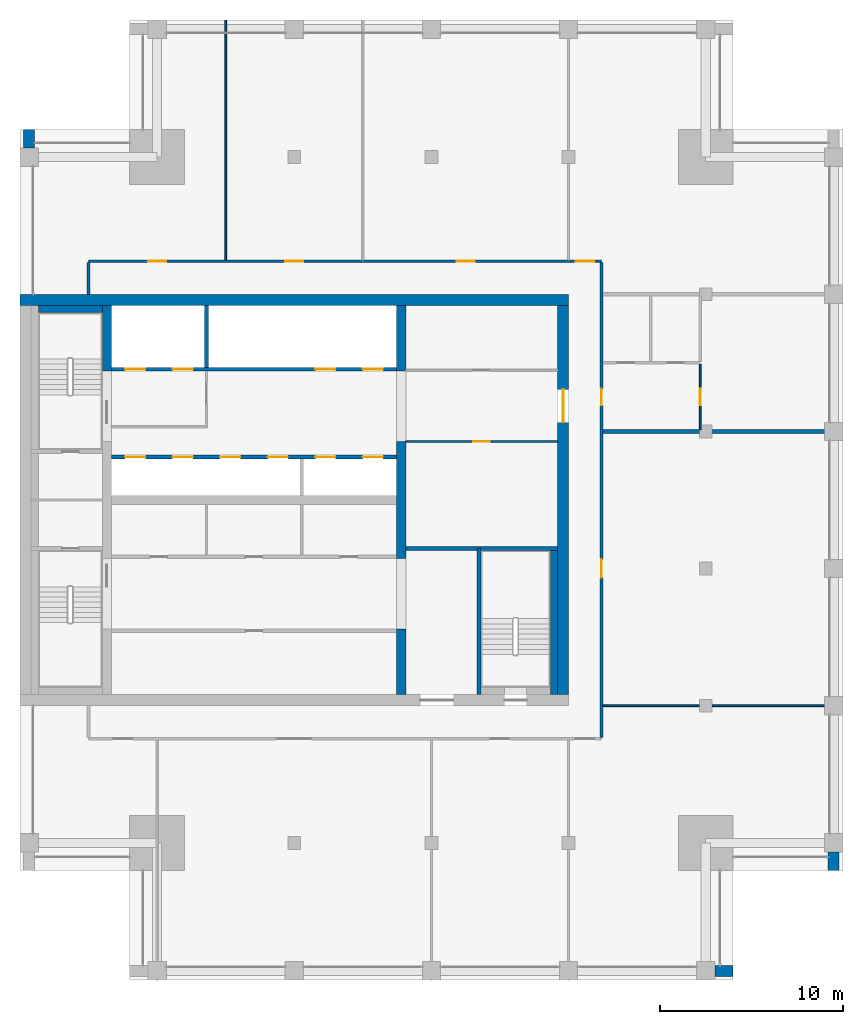
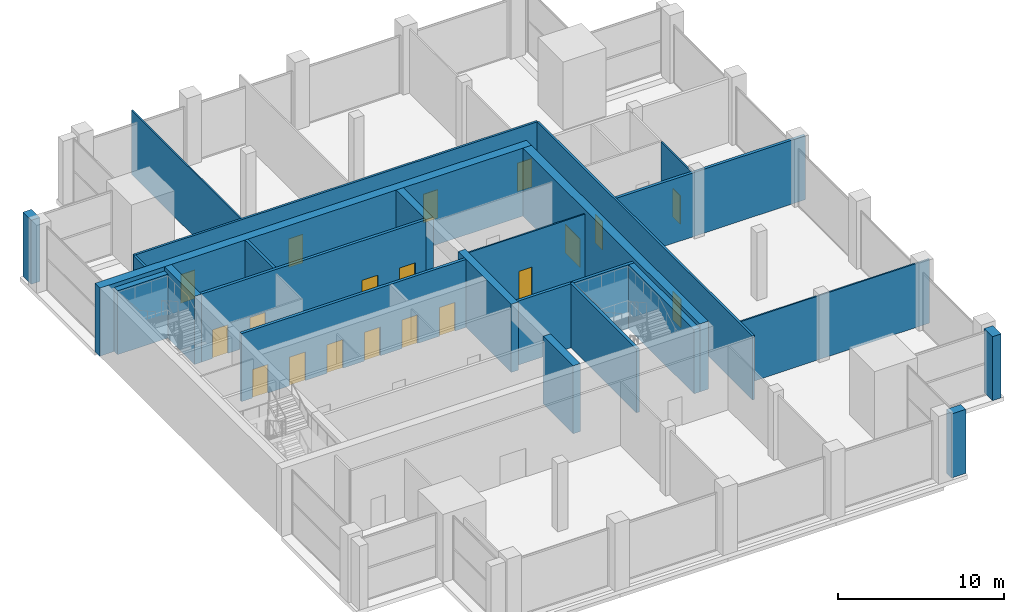
# One storey, part 9 of 15: 24 walls, 19 doors, 19 openings.
"""IFC4 building model written with IfcOpenShell, lengths in metres."""

import ifcopenshell
import ifcopenshell.guid

model = None  # the IFC model being written
_history = None  # IfcOwnerHistory: only IFC2X3 demands one
_inside = {}  # id of a spatial element -> (the spatial element, [elements in it])
_under = {}  # id of a project, library or spatial element -> (it, [spatial elements below it])
_declared = {}  # id of a project -> (the project, [libraries it declares])
_typed = {}  # id of a type object -> (the type object, [elements of that type])
_made_of = {}  # id of a material, layer set ... -> (it, [elements and type objects made of it])


def new_model(schema):
    """Start an empty IFC model of exactly this schema.

    Asked for "IFC4X3", IfcOpenShell would pick the latest addendum, in which some entities
    have other attributes; the version numbers below select the first issue.
    IFC2X3 requires an IfcOwnerHistory on every rooted entity: one is made here for all.
    """
    global model, _history
    if schema == "IFC4X3":
        model = ifcopenshell.file(schema_version=(4, 3, 0, 0))
    else:
        model = ifcopenshell.file(schema=schema)
    _inside.clear()
    _under.clear()
    _declared.clear()
    _typed.clear()
    _made_of.clear()
    _history = None
    if model.schema == "IFC2X3":
        org = make("IfcOrganization", Name="unknown")
        user = make(
            "IfcPersonAndOrganization",
            ThePerson=make("IfcPerson", FamilyName="unknown"),
            TheOrganization=org,
        )
        app = make(
            "IfcApplication",
            ApplicationDeveloper=org,
            Version="unknown",
            ApplicationFullName="unknown",
            ApplicationIdentifier="unknown",
        )
        _history = make(
            "IfcOwnerHistory",
            OwningUser=user,
            OwningApplication=app,
            ChangeAction="ADDED",
            CreationDate=0,
        )
    return model


def make(cls, **values):
    """One entity of the class cls with the attributes given. An attribute that is None is left unset."""
    return model.create_entity(
        cls, **{name: value for name, value in values.items() if value is not None}
    )


def rooted(cls, **values):
    """An entity with a GlobalId (a new one), such as an element, a storey or a relation."""
    return make(cls, GlobalId=ifcopenshell.guid.new(), OwnerHistory=_history, **values)


def si_unit(unit_type, name, prefix=None):
    """IfcSIUnit, for example si_unit("LENGTHUNIT", "METRE", prefix="MILLI")."""
    return make("IfcSIUnit", UnitType=unit_type, Prefix=prefix, Name=name)


def assignment(units):
    """IfcUnitAssignment: the units of a project."""
    return None if units is None else make("IfcUnitAssignment", Units=units)


def point(xyz):
    """IfcCartesianPoint."""
    return None if xyz is None else make("IfcCartesianPoint", Coordinates=xyz)


def direction(xyz):
    """IfcDirection."""
    return None if xyz is None else make("IfcDirection", DirectionRatios=xyz)


def frame(location, z_axis=None, x_axis=None):
    """IfcAxis2Placement3D, a coordinate frame: its origin and axes. An axis left out is left unset."""
    return make(
        "IfcAxis2Placement3D",
        Location=point(location),
        Axis=direction(z_axis),
        RefDirection=direction(x_axis),
    )


def frame_2d(location, x_axis=None):
    """IfcAxis2Placement2D, a coordinate frame in the plane: its origin and x axis."""
    return make(
        "IfcAxis2Placement2D", Location=point(location), RefDirection=direction(x_axis)
    )


def origin():
    """The frame at (0, 0, 0) with its axes left unset."""
    return frame((0.0, 0.0, 0.0))


def place(relative_to, where):
    """IfcLocalPlacement: puts the frame where relative to a parent placement (None: the world)."""
    return make(
        "IfcLocalPlacement", PlacementRelTo=relative_to, RelativePlacement=where
    )


def context(
    kind, dimensions, precision=None, world=None, true_north=None, identifier=None
):
    """IfcGeometricRepresentationContext, for example the 3D "Model" context."""
    return make(
        "IfcGeometricRepresentationContext",
        ContextIdentifier=identifier,
        ContextType=kind,
        CoordinateSpaceDimension=dimensions,
        Precision=precision,
        WorldCoordinateSystem=world,
        TrueNorth=true_north,
    )


def subcontext(parent, identifier, kind, view, scale=None):
    """IfcGeometricRepresentationSubContext, for example "Body" below "Model"."""
    return make(
        "IfcGeometricRepresentationSubContext",
        ContextIdentifier=identifier,
        ContextType=kind,
        ParentContext=parent,
        TargetScale=scale,
        TargetView=view,
    )


def project(units=None, contexts=None):
    """IfcProject with its units and contexts."""
    return rooted(
        "IfcProject",
        Name="project",
        RepresentationContexts=contexts,
        UnitsInContext=assignment(units),
    )


def spatial(cls, under=None, at=None, **own):
    """A site, building, storey or space (cls), placed at a placement, below another one or the project."""
    s = rooted(cls, ObjectPlacement=at, **own)
    if under is not None:
        _under.setdefault(under.id(), (under, []))[1].append(s)
    return s


def profile(cls, at=None, kind="AREA", **sizes):
    """A parametric profile (cls). Its sizes go by their IFC names, for example OverallWidth=200.0."""
    return make(cls, ProfileType=kind, Position=at, **sizes)


def rectangle(**sizes):
    """IfcRectangleProfileDef."""
    return profile("IfcRectangleProfileDef", **sizes)


def extrude(swept, where, along, depth):
    """IfcExtrudedAreaSolid: the profile swept, set in the frame where, extruded along a direction by depth."""
    return make(
        "IfcExtrudedAreaSolid",
        SweptArea=swept,
        Position=where,
        ExtrudedDirection=direction(along),
        Depth=depth,
    )


def shape(context_of_items, identifier, shape_type, items):
    """IfcShapeRepresentation: the items that make up one representation, for example the "Body"."""
    return make(
        "IfcShapeRepresentation",
        ContextOfItems=context_of_items,
        RepresentationIdentifier=identifier,
        RepresentationType=shape_type,
        Items=items,
    )


def material(Name=None, Category=None):
    """IfcMaterial."""
    return make("IfcMaterial", Name=Name, Category=Category)


def layer(
    of_material, thickness, ventilated=None, Name=None, Category=None, Priority=None
):
    """IfcMaterialLayer: one layer of a wall or slab, of a material (None: an air gap)."""
    return make(
        "IfcMaterialLayer",
        Material=of_material,
        LayerThickness=thickness,
        IsVentilated=ventilated,
        Name=Name,
        Category=Category,
        Priority=Priority,
    )


def layer_set(layers, Name=None):
    """IfcMaterialLayerSet."""
    return make("IfcMaterialLayerSet", MaterialLayers=layers, LayerSetName=Name)


def made_of(thing, what):
    """Note that an element or type object is made of a material, layer set ...; save() writes the relation."""
    if what is not None:
        _made_of.setdefault(what.id(), (what, []))[1].append(thing)
    return thing


def type_object(cls, material=None, **own):
    """A type object (cls), such as IfcWallType, which elements share."""
    return made_of(rooted(cls, **own), material)


def element(
    cls,
    number,
    at=None,
    inside=None,
    cuts=None,
    type_object=None,
    material=None,
    context=None,
    identifier="Body",
    shape_type=None,
    held_by="IfcProductDefinitionShape",
    body=None,
    shapes=None,
    **own,
):
    """One element of the class cls, such as IfcWall. Its Tag is "e" and its number.

    at: its placement. inside: the storey or other place that contains it. cuts: it is an
    opening in that element (IfcRelVoidsElement). A single representation is given by context,
    identifier, shape_type and body (its items); several are given by shapes. held_by: the class
    of the entity that holds the representations. save() writes the other relations.
    """
    e = rooted(cls, Tag="e%d" % number, ObjectPlacement=at, **own)
    if body is not None:
        shapes = [shape(context, identifier, shape_type, body)]
    if shapes is not None:
        e.Representation = make(held_by, Representations=shapes)
    if inside is not None:
        _inside.setdefault(inside.id(), (inside, []))[1].append(e)
    if cuts is not None:
        rooted(
            "IfcRelVoidsElement", RelatingBuildingElement=cuts, RelatedOpeningElement=e
        )
    if type_object is not None:
        _typed.setdefault(type_object.id(), (type_object, []))[1].append(e)
    return made_of(e, material)


def fill(opening, filler):
    """IfcRelFillsElement: the door or window that sits in an opening."""
    return rooted(
        "IfcRelFillsElement",
        RelatingOpeningElement=opening,
        RelatedBuildingElement=filler,
    )


def aggregate(whole, parts):
    """IfcRelAggregates: a whole, such as a stair, and the parts it consists of."""
    return rooted("IfcRelAggregates", RelatingObject=whole, RelatedObjects=parts)


def save(model, path):
    """Write the relations noted so far, then the file.

    IfcRelAggregates (storeys below a building ...), IfcRelContainedInSpatialStructure (elements
    in a storey), IfcRelDefinesByType, IfcRelAssociatesMaterial and IfcRelDeclares: one each for
    every whole, place, type object, material and project.
    """
    for whole, parts in _under.values():
        aggregate(whole, parts)
    for where, things in _inside.values():
        rooted(
            "IfcRelContainedInSpatialStructure",
            RelatedElements=things,
            RelatingStructure=where,
        )
    for kind, things in _typed.values():
        rooted("IfcRelDefinesByType", RelatedObjects=things, RelatingType=kind)
    for what, things in _made_of.values():
        rooted("IfcRelAssociatesMaterial", RelatedObjects=things, RelatingMaterial=what)
    for by, libraries in _declared.values():
        rooted("IfcRelDeclares", RelatingContext=by, RelatedDefinitions=libraries)
    model.write(path)


model = new_model("IFC4")

# Units and contexts
model_context = context("Model", 3, precision=1e-05, world=origin(), true_north=direction((0.0, 1.0)))
body_context = subcontext(model_context, "Body", "Model", "MODEL_VIEW")
ifc_project = project(units=[si_unit("LENGTHUNIT", "METRE"), si_unit("AREAUNIT", "SQUARE_METRE"), si_unit("VOLUMEUNIT", "CUBIC_METRE"), si_unit("PLANEANGLEUNIT", "RADIAN"), si_unit("MASSUNIT", "GRAM", prefix="KILO")], contexts=[model_context])

# Site, building, storey
site_placement = place(None, origin())
site = spatial("IfcSite", under=ifc_project, at=site_placement, CompositionType="ELEMENT")
building_placement = place(site_placement, origin())
building = spatial("IfcBuilding", under=site, at=building_placement, Name="Tamorin Gate", CompositionType="ELEMENT")
storey_placement = place(building_placement, frame((0.0, 0.0, 287.199951171875)))
storey = spatial("IfcBuildingStorey", under=building, at=storey_placement, Name="L72", CompositionType="ELEMENT", Elevation=287.199951171875)

# Walls
ifc_material_1 = material(Name="Precast concrete C40/50", Category="concrete")
ifc_layer_1 = layer(ifc_material_1, 0.60009765625)
ifc_layer_set_1 = layer_set([ifc_layer_1], Name="Precast concrete C40/50")
wall_type_1 = type_object("IfcWallType", Name="Board-marked concrete facade panel 600", PredefinedType="SOLIDWALL", material=ifc_layer_set_1)
for number, where, z_axis, x_axis, name in (
    (1, (68.0, 45.5, 0.0), (0.0, 0.0, 1.0), (1.0, 0.0, 0.0), "Facade panel"),
    (2, (74.5, 51.0, 0.0), (0.0, 0.0, 1.0), (0.0, 1.0, 0.0), "Facade panel"),
    (3, (30.5, 91.5, 0.0), (0.0, 0.0, 1.0), (0.0, -1.0, 0.0), "Facade panel"),
):
    element("IfcWall", number, at=place(storey_placement, frame(where, z_axis=z_axis, x_axis=x_axis)), inside=storey, type_object=wall_type_1, Name=name, PredefinedType="SOLIDWALL", context=body_context, shape_type="SweptSolid", body=[
        extrude(rectangle(XDim=1.0, YDim=0.60009765625, at=frame_2d((0.5, 0.0))), origin(), (0.0, 0.0, 1.0), 4.699951171875),
    ])

# Wall, openings, doors
ifc_material_2 = material(Name="Gypsum board partition")
ifc_layer_2 = layer(ifc_material_2, 0.14990234375)
ifc_layer_set_2 = layer_set([ifc_layer_2], Name="Corridor wall 150")
wall_type_2 = type_object("IfcWallType", Name="Corridor wall 150", PredefinedType="PARTITIONING", material=ifc_layer_set_2)
wall_1_placement = place(storey_placement, frame((33.75, 84.300048828125, 0.0), z_axis=(0.0, 0.0, 1.0), x_axis=(1.0, 0.0, 0.0)))
wall_1 = element("IfcWall", 4, at=wall_1_placement, inside=storey, type_object=wall_type_2, Name="Corridor wall 150", PredefinedType="PARTITIONING", context=body_context, shape_type="SweptSolid", body=[
    extrude(rectangle(XDim=28.050048828125, YDim=0.14990234375, at=frame_2d((14.02490234375, 0.0))), origin(), (0.0, 0.0, 1.0), 4.699951171875),
])
opening_1_placement = place(wall_1_placement, frame((3.25, 0.0, 0.0)))
opening_1 = element("IfcOpeningElement", 5, at=opening_1_placement, cuts=wall_1, Name="Opening DCL1005", PredefinedType="OPENING", context=body_context, shape_type="SweptSolid", body=[
    extrude(rectangle(XDim=1.0, YDim=2.10009765625, at=frame_2d((0.5, 1.050048828125))), frame((0.0, 0.0849609375, 0.0), z_axis=(0.0, -1.0, 0.0), x_axis=(1.0, 0.0, 0.0)), (0.0, 0.0, 1.0), 0.169921875),
])
opening_2_placement = place(wall_1_placement, frame((10.75, 0.0, 0.0)))
opening_2 = element("IfcOpeningElement", 6, at=opening_2_placement, cuts=wall_1, Name="Opening DCL1006", PredefinedType="OPENING", context=body_context, shape_type="SweptSolid", body=[
    extrude(rectangle(XDim=1.0, YDim=2.10009765625, at=frame_2d((0.5, 1.050048828125))), frame((0.0, 0.0849609375, 0.0), z_axis=(0.0, -1.0, 0.0), x_axis=(1.0, 0.0, 0.0)), (0.0, 0.0, 1.0), 0.169921875),
])
opening_3_placement = place(wall_1_placement, frame((20.125, 0.0, 0.0)))
opening_3 = element("IfcOpeningElement", 7, at=opening_3_placement, cuts=wall_1, Name="Opening DCL1007", PredefinedType="OPENING", context=body_context, shape_type="SweptSolid", body=[
    extrude(rectangle(XDim=1.0, YDim=2.10009765625, at=frame_2d((0.5, 1.050048828125))), frame((0.0, 0.0849609375, 0.0), z_axis=(0.0, -1.0, 0.0), x_axis=(1.0, 0.0, 0.0)), (0.0, 0.0, 1.0), 0.169921875),
])
opening_4_placement = place(wall_1_placement, frame((26.64990234375, 0.0, 0.0)))
opening_4 = element("IfcOpeningElement", 8, at=opening_4_placement, cuts=wall_1, Name="Opening DCL1008", PredefinedType="OPENING", context=body_context, shape_type="SweptSolid", body=[
    extrude(rectangle(XDim=1.0, YDim=2.10009765625, at=frame_2d((0.5, 1.050048828125))), frame((0.0, 0.0849609375, 0.0), z_axis=(0.0, -1.0, 0.0), x_axis=(1.0, 0.0, 0.0)), (0.0, 0.0, 1.0), 0.169921875),
])
ifc_material_3 = material(Name="Timber door leaf", Category="wood")
door_type_1 = type_object("IfcDoorType", Name="Door 1000 x 2100 FD30S", OperationType="NOTDEFINED", PredefinedType="DOOR", material=ifc_material_3)
door_1_placement = place(opening_1_placement, origin())
door_1 = element("IfcDoor", 9, at=door_1_placement, inside=storey, type_object=door_type_1, Name="Door DCL1005", OperationType="SINGLE_SWING_LEFT", OverallHeight=2.10009765625, OverallWidth=1.0, PredefinedType="DOOR", context=body_context, shape_type="SweptSolid", body=[
    extrude(rectangle(XDim=1.0, YDim=2.10009765625, at=frame_2d((0.5, 1.050048828125))), frame((0.0, 0.02490234375, 0.0), z_axis=(0.0, -1.0, 0.0), x_axis=(1.0, 0.0, 0.0)), (0.0, 0.0, 1.0), 0.050048828125),
])
fill(opening_1, door_1)
door_2_placement = place(opening_2_placement, origin())
door_2 = element("IfcDoor", 10, at=door_2_placement, inside=storey, type_object=door_type_1, Name="Door DCL1006", OperationType="SINGLE_SWING_LEFT", OverallHeight=2.10009765625, OverallWidth=1.0, PredefinedType="DOOR", context=body_context, shape_type="SweptSolid", body=[
    extrude(rectangle(XDim=1.0, YDim=2.10009765625, at=frame_2d((0.5, 1.050048828125))), frame((0.0, 0.02490234375, 0.0), z_axis=(0.0, -1.0, 0.0), x_axis=(1.0, 0.0, 0.0)), (0.0, 0.0, 1.0), 0.050048828125),
])
fill(opening_2, door_2)
door_3_placement = place(opening_3_placement, origin())
door_3 = element("IfcDoor", 11, at=door_3_placement, inside=storey, type_object=door_type_1, Name="Door DCL1007", OperationType="SINGLE_SWING_LEFT", OverallHeight=2.10009765625, OverallWidth=1.0, PredefinedType="DOOR", context=body_context, shape_type="SweptSolid", body=[
    extrude(rectangle(XDim=1.0, YDim=2.10009765625, at=frame_2d((0.5, 1.050048828125))), frame((0.0, 0.02490234375, 0.0), z_axis=(0.0, -1.0, 0.0), x_axis=(1.0, 0.0, 0.0)), (0.0, 0.0, 1.0), 0.050048828125),
])
fill(opening_3, door_3)
door_4_placement = place(opening_4_placement, origin())
door_4 = element("IfcDoor", 12, at=door_4_placement, inside=storey, type_object=door_type_1, Name="Door DCL1008", OperationType="SINGLE_SWING_LEFT", OverallHeight=2.10009765625, OverallWidth=1.0, PredefinedType="DOOR", context=body_context, shape_type="SweptSolid", body=[
    extrude(rectangle(XDim=1.0, YDim=2.10009765625, at=frame_2d((0.5, 1.050048828125))), frame((0.0, 0.02490234375, 0.0), z_axis=(0.0, -1.0, 0.0), x_axis=(1.0, 0.0, 0.0)), (0.0, 0.0, 1.0), 0.050048828125),
])
fill(opening_4, door_4)

# Wall
wall_2_placement = place(storey_placement, frame((33.75, 82.5, 0.0), z_axis=(0.0, 0.0, 1.0), x_axis=(0.0, 1.0, 0.0)))
element("IfcWall", 13, at=wall_2_placement, inside=storey, type_object=wall_type_2, Name="Corridor wall 150", PredefinedType="PARTITIONING", context=body_context, shape_type="SweptSolid", body=[
    extrude(rectangle(XDim=1.72509765625, YDim=0.14990234375, at=frame_2d((0.862548828125, 0.0))), origin(), (0.0, 0.0, 1.0), 4.699951171875),
])

# Wall, openings, doors
wall_3_placement = place(storey_placement, frame((61.800048828125, 58.27490234375, 0.0), z_axis=(0.0, 0.0, 1.0), x_axis=(0.0, 1.0, 0.0)))
wall_3 = element("IfcWall", 14, at=wall_3_placement, inside=storey, type_object=wall_type_2, Name="Corridor wall 150", PredefinedType="PARTITIONING", context=body_context, shape_type="SweptSolid", body=[
    extrude(rectangle(XDim=25.9501953125, YDim=0.14990234375, at=frame_2d((12.97509765625, 0.0))), origin(), (0.0, 0.0, 1.0), 4.699951171875),
])
opening_5_placement = place(wall_3_placement, frame((8.72509765625, 0.0, 0.0)))
opening_5 = element("IfcOpeningElement", 15, at=opening_5_placement, cuts=wall_3, Name="Opening DCL1009", PredefinedType="OPENING", context=body_context, shape_type="SweptSolid", body=[
    extrude(rectangle(XDim=1.0, YDim=2.10009765625, at=frame_2d((0.5, 1.050048828125))), frame((0.0, 0.0849609375, 0.0), z_axis=(0.0, -1.0, 0.0), x_axis=(1.0, 0.0, 0.0)), (0.0, 0.0, 1.0), 0.169921875),
])
opening_6_placement = place(wall_3_placement, frame((18.14990234375, 0.0, 0.0)))
opening_6 = element("IfcOpeningElement", 16, at=opening_6_placement, cuts=wall_3, Name="Opening DCL1010", PredefinedType="OPENING", context=body_context, shape_type="SweptSolid", body=[
    extrude(rectangle(XDim=0.89990234375, YDim=2.10009765625, at=frame_2d((0.449951171875, 1.050048828125))), frame((0.0, 0.0849609375, 0.0), z_axis=(0.0, -1.0, 0.0), x_axis=(1.0, 0.0, 0.0)), (0.0, 0.0, 1.0), 0.169921875),
])
door_5_placement = place(opening_5_placement, origin())
door_5 = element("IfcDoor", 17, at=door_5_placement, inside=storey, type_object=door_type_1, Name="Door DCL1009", OperationType="SINGLE_SWING_RIGHT", OverallHeight=2.10009765625, OverallWidth=1.0, PredefinedType="DOOR", context=body_context, shape_type="SweptSolid", body=[
    extrude(rectangle(XDim=1.0, YDim=2.10009765625, at=frame_2d((0.5, 1.050048828125))), frame((0.0, 0.02490234375, 0.0), z_axis=(0.0, -1.0, 0.0), x_axis=(1.0, 0.0, 0.0)), (0.0, 0.0, 1.0), 0.050048828125),
])
fill(opening_5, door_5)
door_type_2 = type_object("IfcDoorType", Name="Door 900 x 2100 FD30S", OperationType="NOTDEFINED", PredefinedType="DOOR", material=ifc_material_3)
door_6_placement = place(opening_6_placement, origin())
door_6 = element("IfcDoor", 18, at=door_6_placement, inside=storey, type_object=door_type_2, Name="Door DCL1010", OperationType="SINGLE_SWING_RIGHT", OverallHeight=2.10009765625, OverallWidth=0.89990234375, PredefinedType="DOOR", context=body_context, shape_type="SweptSolid", body=[
    extrude(rectangle(XDim=0.89990234375, YDim=2.10009765625, at=frame_2d((0.449951171875, 1.050048828125))), frame((0.0, 0.02490234375, 0.0), z_axis=(0.0, -1.0, 0.0), x_axis=(1.0, 0.0, 0.0)), (0.0, 0.0, 1.0), 0.050048828125),
])
fill(opening_6, door_6)

# Wall
ifc_layer_3 = layer(ifc_material_2, 0.199951171875)
ifc_layer_set_3 = layer_set([ifc_layer_3], Name="Demising wall 200")
wall_type_3 = type_object("IfcWallType", Name="Demising wall 200", PredefinedType="PARTITIONING", material=ifc_layer_set_3)
wall_4_placement = place(storey_placement, frame((61.875, 75.0, 0.0), z_axis=(0.0, 0.0, 1.0), x_axis=(1.0, 0.0, 0.0)))
element("IfcWall", 19, at=wall_4_placement, inside=storey, type_object=wall_type_3, Name="Demising wall 200", PredefinedType="PARTITIONING", context=body_context, shape_type="SweptSolid", body=[
    extrude(rectangle(XDim=13.125, YDim=0.199951171875, at=frame_2d((6.5625, 0.0))), origin(), (0.0, 0.0, 1.0), 4.699951171875),
])

# Wall, openings, doors
ifc_material_4 = material(Name="Concrete C32/40", Category="concrete")
ifc_layer_4 = layer(ifc_material_4, 0.199951171875)
ifc_layer_set_4 = layer_set([ifc_layer_4], Name="Lift lobby face wall 200 EI 120")
wall_type_4 = type_object("IfcWallType", Name="Lift lobby face wall 200 EI 120", PredefinedType="SOLIDWALL", material=ifc_layer_set_4)
wall_5_placement = place(storey_placement, frame((35.0, 73.60009765625, 0.0), z_axis=(0.0, 0.0, 1.0), x_axis=(1.0, 0.0, 0.0)))
wall_5 = element("IfcWall", 20, at=wall_5_placement, inside=storey, type_object=wall_type_4, Name="Lift lobby face wall", PredefinedType="SOLIDWALL", context=body_context, shape_type="SweptSolid", body=[
    extrude(rectangle(XDim=15.60009765625, YDim=0.199951171875, at=frame_2d((7.800048828125, 0.0))), origin(), (0.0, 0.0, 1.0), 5.0),
])
opening_7_placement = place(wall_5_placement, frame((0.75, 0.0, 0.0)))
opening_7 = element("IfcOpeningElement", 21, at=opening_7_placement, cuts=wall_5, Name="Opening LD11", PredefinedType="OPENING", context=body_context, shape_type="SweptSolid", body=[
    extrude(rectangle(XDim=1.10009765625, YDim=2.10009765625, at=frame_2d((0.550048828125, 1.050048828125))), frame((0.0, 0.10986328125, 0.0), z_axis=(0.0, -1.0, 0.0), x_axis=(1.0, 0.0, 0.0)), (0.0, 0.0, 1.0), 0.219970703125),
])
opening_8_placement = place(wall_5_placement, frame((3.35009765625, 0.0, 0.0)))
opening_8 = element("IfcOpeningElement", 22, at=opening_8_placement, cuts=wall_5, Name="Opening LD12", PredefinedType="OPENING", context=body_context, shape_type="SweptSolid", body=[
    extrude(rectangle(XDim=1.10009765625, YDim=2.10009765625, at=frame_2d((0.550048828125, 1.050048828125))), frame((0.0, 0.10986328125, 0.0), z_axis=(0.0, -1.0, 0.0), x_axis=(1.0, 0.0, 0.0)), (0.0, 0.0, 1.0), 0.219970703125),
])
opening_9_placement = place(wall_5_placement, frame((5.949951171875, 0.0, 0.0)))
opening_9 = element("IfcOpeningElement", 23, at=opening_9_placement, cuts=wall_5, Name="Opening LD13", PredefinedType="OPENING", context=body_context, shape_type="SweptSolid", body=[
    extrude(rectangle(XDim=1.10009765625, YDim=2.10009765625, at=frame_2d((0.550048828125, 1.050048828125))), frame((0.0, 0.10986328125, 0.0), z_axis=(0.0, -1.0, 0.0), x_axis=(1.0, 0.0, 0.0)), (0.0, 0.0, 1.0), 0.219970703125),
])
opening_10_placement = place(wall_5_placement, frame((8.550048828125, 0.0, 0.0)))
opening_10 = element("IfcOpeningElement", 24, at=opening_10_placement, cuts=wall_5, Name="Opening LD14", PredefinedType="OPENING", context=body_context, shape_type="SweptSolid", body=[
    extrude(rectangle(XDim=1.10009765625, YDim=2.10009765625, at=frame_2d((0.550048828125, 1.050048828125))), frame((0.0, 0.10986328125, 0.0), z_axis=(0.0, -1.0, 0.0), x_axis=(1.0, 0.0, 0.0)), (0.0, 0.0, 1.0), 0.219970703125),
])
opening_11_placement = place(wall_5_placement, frame((11.14990234375, 0.0, 0.0)))
opening_11 = element("IfcOpeningElement", 25, at=opening_11_placement, cuts=wall_5, Name="Opening LD15", PredefinedType="OPENING", context=body_context, shape_type="SweptSolid", body=[
    extrude(rectangle(XDim=1.10009765625, YDim=2.10009765625, at=frame_2d((0.550048828125, 1.050048828125))), frame((0.0, 0.10986328125, 0.0), z_axis=(0.0, -1.0, 0.0), x_axis=(1.0, 0.0, 0.0)), (0.0, 0.0, 1.0), 0.219970703125),
])
opening_12_placement = place(wall_5_placement, frame((13.75, 0.0, 0.0)))
opening_12 = element("IfcOpeningElement", 26, at=opening_12_placement, cuts=wall_5, Name="Opening LD16", PredefinedType="OPENING", context=body_context, shape_type="SweptSolid", body=[
    extrude(rectangle(XDim=1.10009765625, YDim=2.10009765625, at=frame_2d((0.550048828125, 1.050048828125))), frame((0.0, 0.10986328125, 0.0), z_axis=(0.0, -1.0, 0.0), x_axis=(1.0, 0.0, 0.0)), (0.0, 0.0, 1.0), 0.219970703125),
])
ifc_material_5 = material(Name="Stainless steel sliding door", Category="steel")
door_type_3 = type_object("IfcDoorType", Name="Lift landing door 1100 x 2100 E 90", OperationType="DOUBLE_DOOR_SLIDING", PredefinedType="DOOR", material=ifc_material_5)
door_7_placement = place(opening_7_placement, origin())
door_7 = element("IfcDoor", 27, at=door_7_placement, inside=storey, type_object=door_type_3, Name="HR1 landing door", OperationType="DOUBLE_DOOR_SLIDING", OverallHeight=2.10009765625, OverallWidth=1.10009765625, PredefinedType="DOOR", context=body_context, shape_type="SweptSolid", body=[
    extrude(rectangle(XDim=1.10009765625, YDim=2.10009765625, at=frame_2d((0.550048828125, 1.050048828125))), frame((0.0, 0.02490234375, 0.0), z_axis=(0.0, -1.0, 0.0), x_axis=(1.0, 0.0, 0.0)), (0.0, 0.0, 1.0), 0.050048828125),
])
fill(opening_7, door_7)
door_8_placement = place(opening_8_placement, origin())
door_8 = element("IfcDoor", 28, at=door_8_placement, inside=storey, type_object=door_type_3, Name="HR2 landing door", OperationType="DOUBLE_DOOR_SLIDING", OverallHeight=2.10009765625, OverallWidth=1.10009765625, PredefinedType="DOOR", context=body_context, shape_type="SweptSolid", body=[
    extrude(rectangle(XDim=1.10009765625, YDim=2.10009765625, at=frame_2d((0.550048828125, 1.050048828125))), frame((0.0, 0.02490234375, 0.0), z_axis=(0.0, -1.0, 0.0), x_axis=(1.0, 0.0, 0.0)), (0.0, 0.0, 1.0), 0.050048828125),
])
fill(opening_8, door_8)
door_9_placement = place(opening_9_placement, origin())
door_9 = element("IfcDoor", 29, at=door_9_placement, inside=storey, type_object=door_type_3, Name="HR3 landing door", OperationType="DOUBLE_DOOR_SLIDING", OverallHeight=2.10009765625, OverallWidth=1.10009765625, PredefinedType="DOOR", context=body_context, shape_type="SweptSolid", body=[
    extrude(rectangle(XDim=1.10009765625, YDim=2.10009765625, at=frame_2d((0.550048828125, 1.050048828125))), frame((0.0, 0.02490234375, 0.0), z_axis=(0.0, -1.0, 0.0), x_axis=(1.0, 0.0, 0.0)), (0.0, 0.0, 1.0), 0.050048828125),
])
fill(opening_9, door_9)
door_10_placement = place(opening_10_placement, origin())
door_10 = element("IfcDoor", 30, at=door_10_placement, inside=storey, type_object=door_type_3, Name="HR4 landing door", OperationType="DOUBLE_DOOR_SLIDING", OverallHeight=2.10009765625, OverallWidth=1.10009765625, PredefinedType="DOOR", context=body_context, shape_type="SweptSolid", body=[
    extrude(rectangle(XDim=1.10009765625, YDim=2.10009765625, at=frame_2d((0.550048828125, 1.050048828125))), frame((0.0, 0.02490234375, 0.0), z_axis=(0.0, -1.0, 0.0), x_axis=(1.0, 0.0, 0.0)), (0.0, 0.0, 1.0), 0.050048828125),
])
fill(opening_10, door_10)
door_11_placement = place(opening_11_placement, origin())
door_11 = element("IfcDoor", 31, at=door_11_placement, inside=storey, type_object=door_type_3, Name="HR5 landing door", OperationType="DOUBLE_DOOR_SLIDING", OverallHeight=2.10009765625, OverallWidth=1.10009765625, PredefinedType="DOOR", context=body_context, shape_type="SweptSolid", body=[
    extrude(rectangle(XDim=1.10009765625, YDim=2.10009765625, at=frame_2d((0.550048828125, 1.050048828125))), frame((0.0, 0.02490234375, 0.0), z_axis=(0.0, -1.0, 0.0), x_axis=(1.0, 0.0, 0.0)), (0.0, 0.0, 1.0), 0.050048828125),
])
fill(opening_11, door_11)
door_12_placement = place(opening_12_placement, origin())
door_12 = element("IfcDoor", 32, at=door_12_placement, inside=storey, type_object=door_type_3, Name="HR6 landing door", OperationType="DOUBLE_DOOR_SLIDING", OverallHeight=2.10009765625, OverallWidth=1.10009765625, PredefinedType="DOOR", context=body_context, shape_type="SweptSolid", body=[
    extrude(rectangle(XDim=1.10009765625, YDim=2.10009765625, at=frame_2d((0.550048828125, 1.050048828125))), frame((0.0, 0.02490234375, 0.0), z_axis=(0.0, -1.0, 0.0), x_axis=(1.0, 0.0, 0.0)), (0.0, 0.0, 1.0), 0.050048828125),
])
fill(opening_12, door_12)

wall_6_placement = place(storey_placement, frame((35.0, 78.39990234375, 0.0), z_axis=(0.0, 0.0, 1.0), x_axis=(1.0, 0.0, 0.0)))
wall_6 = element("IfcWall", 33, at=wall_6_placement, inside=storey, type_object=wall_type_4, Name="Lift lobby face wall", PredefinedType="SOLIDWALL", context=body_context, shape_type="SweptSolid", body=[
    extrude(rectangle(XDim=15.60009765625, YDim=0.199951171875, at=frame_2d((7.800048828125, 0.0))), origin(), (0.0, 0.0, 1.0), 5.0),
])
opening_13_placement = place(wall_6_placement, frame((0.75, 0.0, 0.0)))
opening_13 = element("IfcOpeningElement", 34, at=opening_13_placement, cuts=wall_6, Name="Opening LD17", PredefinedType="OPENING", context=body_context, shape_type="SweptSolid", body=[
    extrude(rectangle(XDim=1.10009765625, YDim=2.10009765625, at=frame_2d((0.550048828125, 1.050048828125))), frame((0.0, 0.10986328125, 0.0), z_axis=(0.0, -1.0, 0.0), x_axis=(1.0, 0.0, 0.0)), (0.0, 0.0, 1.0), 0.219970703125),
])
opening_14_placement = place(wall_6_placement, frame((3.35009765625, 0.0, 0.0)))
opening_14 = element("IfcOpeningElement", 35, at=opening_14_placement, cuts=wall_6, Name="Opening LD18", PredefinedType="OPENING", context=body_context, shape_type="SweptSolid", body=[
    extrude(rectangle(XDim=1.10009765625, YDim=2.10009765625, at=frame_2d((0.550048828125, 1.050048828125))), frame((0.0, 0.10986328125, 0.0), z_axis=(0.0, -1.0, 0.0), x_axis=(1.0, 0.0, 0.0)), (0.0, 0.0, 1.0), 0.219970703125),
])
opening_15_placement = place(wall_6_placement, frame((11.14990234375, 0.0, 0.0)))
opening_15 = element("IfcOpeningElement", 36, at=opening_15_placement, cuts=wall_6, Name="Opening LD21", PredefinedType="OPENING", context=body_context, shape_type="SweptSolid", body=[
    extrude(rectangle(XDim=1.10009765625, YDim=2.10009765625, at=frame_2d((0.550048828125, 1.050048828125))), frame((0.0, 0.10986328125, 0.0), z_axis=(0.0, -1.0, 0.0), x_axis=(1.0, 0.0, 0.0)), (0.0, 0.0, 1.0), 0.219970703125),
])
opening_16_placement = place(wall_6_placement, frame((13.75, 0.0, 0.0)))
opening_16 = element("IfcOpeningElement", 37, at=opening_16_placement, cuts=wall_6, Name="Opening LD22", PredefinedType="OPENING", context=body_context, shape_type="SweptSolid", body=[
    extrude(rectangle(XDim=1.10009765625, YDim=2.10009765625, at=frame_2d((0.550048828125, 1.050048828125))), frame((0.0, 0.10986328125, 0.0), z_axis=(0.0, -1.0, 0.0), x_axis=(1.0, 0.0, 0.0)), (0.0, 0.0, 1.0), 0.219970703125),
])
door_13_placement = place(opening_13_placement, origin())
door_13 = element("IfcDoor", 38, at=door_13_placement, inside=storey, type_object=door_type_3, Name="FF1 landing door", OperationType="DOUBLE_DOOR_SLIDING", OverallHeight=2.10009765625, OverallWidth=1.10009765625, PredefinedType="DOOR", context=body_context, shape_type="SweptSolid", body=[
    extrude(rectangle(XDim=1.10009765625, YDim=2.10009765625, at=frame_2d((0.550048828125, 1.050048828125))), frame((0.0, 0.02490234375, 0.0), z_axis=(0.0, -1.0, 0.0), x_axis=(1.0, 0.0, 0.0)), (0.0, 0.0, 1.0), 0.050048828125),
])
fill(opening_13, door_13)
door_14_placement = place(opening_14_placement, origin())
door_14 = element("IfcDoor", 39, at=door_14_placement, inside=storey, type_object=door_type_3, Name="FF2 landing door", OperationType="DOUBLE_DOOR_SLIDING", OverallHeight=2.10009765625, OverallWidth=1.10009765625, PredefinedType="DOOR", context=body_context, shape_type="SweptSolid", body=[
    extrude(rectangle(XDim=1.10009765625, YDim=2.10009765625, at=frame_2d((0.550048828125, 1.050048828125))), frame((0.0, 0.02490234375, 0.0), z_axis=(0.0, -1.0, 0.0), x_axis=(1.0, 0.0, 0.0)), (0.0, 0.0, 1.0), 0.050048828125),
])
fill(opening_14, door_14)
door_15_placement = place(opening_15_placement, origin())
door_15 = element("IfcDoor", 40, at=door_15_placement, inside=storey, type_object=door_type_3, Name="SV1 landing door", OperationType="DOUBLE_DOOR_SLIDING", OverallHeight=2.10009765625, OverallWidth=1.10009765625, PredefinedType="DOOR", context=body_context, shape_type="SweptSolid", body=[
    extrude(rectangle(XDim=1.10009765625, YDim=2.10009765625, at=frame_2d((0.550048828125, 1.050048828125))), frame((0.0, 0.02490234375, 0.0), z_axis=(0.0, -1.0, 0.0), x_axis=(1.0, 0.0, 0.0)), (0.0, 0.0, 1.0), 0.050048828125),
])
fill(opening_15, door_15)
door_16_placement = place(opening_16_placement, origin())
door_16 = element("IfcDoor", 41, at=door_16_placement, inside=storey, type_object=door_type_3, Name="SV2 landing door", OperationType="DOUBLE_DOOR_SLIDING", OverallHeight=2.10009765625, OverallWidth=1.10009765625, PredefinedType="DOOR", context=body_context, shape_type="SweptSolid", body=[
    extrude(rectangle(XDim=1.10009765625, YDim=2.10009765625, at=frame_2d((0.550048828125, 1.050048828125))), frame((0.0, 0.02490234375, 0.0), z_axis=(0.0, -1.0, 0.0), x_axis=(1.0, 0.0, 0.0)), (0.0, 0.0, 1.0), 0.050048828125),
])
fill(opening_16, door_16)

# Walls
ifc_layer_5 = layer(ifc_material_4, 0.199951171875)
ifc_layer_set_5 = layer_set([ifc_layer_5], Name="Lift shaft wall 200 EI 120")
wall_type_5 = type_object("IfcWallType", Name="Lift shaft wall 200 EI 120", PredefinedType="SOLIDWALL", material=ifc_layer_set_5)
wall_7_placement = place(storey_placement, frame((40.199951171875, 78.5, 0.0), z_axis=(0.0, 0.0, 1.0), x_axis=(0.0, 1.0, 0.0)))
element("IfcWall", 42, at=wall_7_placement, inside=storey, type_object=wall_type_5, Name="Lift shaft wall", PredefinedType="SOLIDWALL", context=body_context, shape_type="SweptSolid", body=[
    extrude(rectangle(XDim=3.39990234375, YDim=0.199951171875, at=frame_2d((1.699951171875, 0.0))), origin(), (0.0, 0.0, 1.0), 5.0),
])
ifc_material_6 = material(Name="Concrete C50/60", Category="concrete")
ifc_layer_6 = layer(ifc_material_6, 0.5)
ifc_layer_set_6 = layer_set([ifc_layer_6], Name="RC core internal wall 500 C50/60")
wall_type_6 = type_object("IfcWallType", Name="RC core internal wall 500 C50/60", PredefinedType="SHEAR", material=ifc_layer_set_6)
for number, where, z_axis, x_axis, name in (
    (43, (34.75, 78.300048828125, 0.0), (0.0, 0.0, 1.0), (0.0, 1.0, 0.0), "Core cross wall L72"),
    (44, (50.85009765625, 60.60009765625, 0.0), (0.0, 0.0, 1.0), (0.0, 1.0, 0.0), "Core cross wall L72"),
):
    element("IfcWall", number, at=place(storey_placement, frame(where, z_axis=z_axis, x_axis=x_axis)), inside=storey, type_object=wall_type_6, Name=name, PredefinedType="SHEAR", context=body_context, shape_type="SweptSolid", body=[
        extrude(rectangle(XDim=3.599853515625, YDim=0.5, at=frame_2d((1.7998046875, 0.0))), origin(), (0.0, 0.0, 1.0), 5.0),
    ])
wall_8_placement = place(storey_placement, frame((50.85009765625, 68.050048828125, 0.0), z_axis=(0.0, 0.0, 1.0), x_axis=(0.0, 1.0, 0.0)))
element("IfcWall", 45, at=wall_8_placement, inside=storey, type_object=wall_type_6, Name="Core cross wall L72", PredefinedType="SHEAR", context=body_context, shape_type="SweptSolid", body=[
    extrude(rectangle(XDim=6.39990234375, YDim=0.5, at=frame_2d((3.199951171875, 0.0))), origin(), (0.0, 0.0, 1.0), 5.0),
])
wall_9_placement = place(storey_placement, frame((50.85009765625, 78.300048828125, 0.0), z_axis=(0.0, 0.0, 1.0), x_axis=(0.0, 1.0, 0.0)))
element("IfcWall", 46, at=wall_9_placement, inside=storey, type_object=wall_type_6, Name="Core cross wall L72", PredefinedType="SHEAR", context=body_context, shape_type="SweptSolid", body=[
    extrude(rectangle(XDim=3.599853515625, YDim=0.5, at=frame_2d((1.7998046875, 0.0))), origin(), (0.0, 0.0, 1.0), 5.0),
])
ifc_layer_7 = layer(ifc_material_6, 0.60009765625)
ifc_layer_set_7 = layer_set([ifc_layer_7], Name="RC core wall 600 C50/60")
wall_type_7 = type_object("IfcWallType", Name="RC core wall 600 C50/60", PredefinedType="SHEAR", material=ifc_layer_set_7)
wall_10_placement = place(storey_placement, frame((30.0, 82.199951171875, 0.0), z_axis=(0.0, 0.0, 1.0), x_axis=(1.0, 0.0, 0.0)))
element("IfcWall", 47, at=wall_10_placement, inside=storey, type_object=wall_type_7, Name="Core wall L72", PredefinedType="SHEAR", context=body_context, shape_type="SweptSolid", body=[
    extrude(rectangle(XDim=30.0, YDim=0.60009765625, at=frame_2d((15.0, 0.0))), origin(), (0.0, 0.0, 1.0), 5.0),
])

# Wall, opening, door
wall_11_placement = place(storey_placement, frame((59.699951171875, 60.60009765625, 0.0), z_axis=(0.0, 0.0, 1.0), x_axis=(0.0, 1.0, 0.0)))
wall_11 = element("IfcWall", 48, at=wall_11_placement, inside=storey, type_object=wall_type_7, Name="Core wall L72", PredefinedType="SHEAR", context=body_context, shape_type="SweptSolid", body=[
    extrude(rectangle(XDim=21.2998046875, YDim=0.60009765625, at=frame_2d((10.64990234375, 0.0))), origin(), (0.0, 0.0, 1.0), 5.0),
])
opening_17_placement = place(wall_11_placement, frame((14.89990234375, 0.0, 0.0)))
opening_17 = element("IfcOpeningElement", 49, at=opening_17_placement, cuts=wall_11, Name="Opening DE1", PredefinedType="OPENING", context=body_context, shape_type="SweptSolid", body=[
    extrude(rectangle(XDim=1.800048828125, YDim=2.10009765625, at=frame_2d((0.89990234375, 1.050048828125))), frame((0.0, 0.31005859375, 0.0), z_axis=(0.0, -1.0, 0.0), x_axis=(1.0, 0.0, 0.0)), (0.0, 0.0, 1.0), 0.6201171875),
])
ifc_material_7 = material(Name="Steel fire door", Category="steel")
door_type_4 = type_object("IfcDoorType", Name="Lobby exit double door 1800 x 2100 EI 60", OperationType="DOUBLE_DOOR_SINGLE_SWING", PredefinedType="DOOR", material=ifc_material_7)
door_17_placement = place(opening_17_placement, origin())
door_17 = element("IfcDoor", 50, at=door_17_placement, inside=storey, type_object=door_type_4, Name="Lift lobby B exit door", OperationType="DOUBLE_DOOR_SINGLE_SWING", OverallHeight=2.10009765625, OverallWidth=1.800048828125, PredefinedType="DOOR", context=body_context, shape_type="SweptSolid", body=[
    extrude(rectangle(XDim=1.800048828125, YDim=2.10009765625, at=frame_2d((0.89990234375, 1.050048828125))), frame((0.0, 0.02490234375, 0.0), z_axis=(0.0, -1.0, 0.0), x_axis=(1.0, 0.0, 0.0)), (0.0, 0.0, 1.0), 0.050048828125),
])
fill(opening_17, door_17)

# Walls
ifc_layer_8 = layer(ifc_material_2, 0.10009765625)
ifc_layer_set_8 = layer_set([ifc_layer_8], Name="Room partition 100")
wall_type_8 = type_object("IfcWallType", Name="Room partition 100", PredefinedType="PARTITIONING", material=ifc_layer_set_8)
for number, where, z_axis, x_axis, name in (
    (51, (61.875, 60.0, 0.0), (0.0, 0.0, 1.0), (1.0, 0.0, 0.0), "Room partition 100"),
    (52, (41.25, 84.375, 0.0), (0.0, 0.0, 1.0), (0.0, 1.0, 0.0), "Room partition 100"),
):
    element("IfcWall", number, at=place(storey_placement, frame(where, z_axis=z_axis, x_axis=x_axis)), inside=storey, type_object=wall_type_8, Name=name, PredefinedType="PARTITIONING", context=body_context, shape_type="SweptSolid", body=[
        extrude(rectangle(XDim=13.125, YDim=0.10009765625, at=frame_2d((6.5625, 0.0))), origin(), (0.0, 0.0, 1.0), 4.699951171875),
    ])

# Wall, opening, door
wall_12_placement = place(storey_placement, frame((67.199951171875, 75.10009765625, 0.0), z_axis=(0.0, 0.0, 1.0), x_axis=(0.0, 1.0, 0.0)))
wall_12 = element("IfcWall", 53, at=wall_12_placement, inside=storey, type_object=wall_type_8, Name="Room partition 100", PredefinedType="PARTITIONING", context=body_context, shape_type="SweptSolid", body=[
    extrude(rectangle(XDim=3.58740234375, YDim=0.10009765625, at=frame_2d((1.793701171875, 0.0))), origin(), (0.0, 0.0, 1.0), 4.699951171875),
])
opening_18_placement = place(wall_12_placement, frame((1.324951171875, 0.0, 0.0)))
opening_18 = element("IfcOpeningElement", 54, at=opening_18_placement, cuts=wall_12, Name="Opening DCL1011", PredefinedType="OPENING", context=body_context, shape_type="SweptSolid", body=[
    extrude(rectangle(XDim=0.89990234375, YDim=2.10009765625, at=frame_2d((0.449951171875, 1.050048828125))), frame((0.0, 0.06005859375, 0.0), z_axis=(0.0, -1.0, 0.0), x_axis=(1.0, 0.0, 0.0)), (0.0, 0.0, 1.0), 0.1201171875),
])
door_type_5 = type_object("IfcDoorType", Name="Door 900 x 2100", OperationType="NOTDEFINED", PredefinedType="DOOR", material=ifc_material_3)
door_18_placement = place(opening_18_placement, origin())
door_18 = element("IfcDoor", 55, at=door_18_placement, inside=storey, type_object=door_type_5, Name="Door DCL1011", OperationType="SINGLE_SWING_LEFT", OverallHeight=2.10009765625, OverallWidth=0.89990234375, PredefinedType="DOOR", context=body_context, shape_type="SweptSolid", body=[
    extrude(rectangle(XDim=0.89990234375, YDim=2.10009765625, at=frame_2d((0.449951171875, 1.050048828125))), frame((0.0, 0.02490234375, 0.0), z_axis=(0.0, -1.0, 0.0), x_axis=(1.0, 0.0, 0.0)), (0.0, 0.0, 1.0), 0.050048828125),
])
fill(opening_18, door_18)

ifc_layer_9 = layer(ifc_material_2, 0.10009765625)
ifc_layer_set_9 = layer_set([ifc_layer_9], Name="Service room partition 100 EI 60")
wall_type_9 = type_object("IfcWallType", Name="Service room partition 100 EI 60", PredefinedType="PARTITIONING", material=ifc_layer_set_9)
wall_13_placement = place(storey_placement, frame((51.10009765625, 74.449951171875, 0.0), z_axis=(0.0, 0.0, 1.0), x_axis=(1.0, 0.0, 0.0)))
wall_13 = element("IfcWall", 56, at=wall_13_placement, inside=storey, type_object=wall_type_9, Name="Service room wall", PredefinedType="PARTITIONING", context=body_context, shape_type="SweptSolid", body=[
    extrude(rectangle(XDim=8.2998046875, YDim=0.10009765625, at=frame_2d((4.14990234375, 0.0))), origin(), (0.0, 0.0, 1.0), 4.699951171875),
])
opening_19_placement = place(wall_13_placement, frame((3.699951171875, 0.0, 0.0)))
opening_19 = element("IfcOpeningElement", 57, at=opening_19_placement, cuts=wall_13, Name="Opening DR1", PredefinedType="OPENING", context=body_context, shape_type="SweptSolid", body=[
    extrude(rectangle(XDim=0.89990234375, YDim=2.10009765625, at=frame_2d((0.449951171875, 1.050048828125))), frame((0.0, 0.06005859375, 0.0), z_axis=(0.0, -1.0, 0.0), x_axis=(1.0, 0.0, 0.0)), (0.0, 0.0, 1.0), 0.1201171875),
])
door_type_6 = type_object("IfcDoorType", Name="Riser access door 900 x 2100 EI 120", OperationType="SINGLE_SWING_LEFT", PredefinedType="DOOR", material=ifc_material_7)
door_19_placement = place(opening_19_placement, origin())
door_19 = element("IfcDoor", 58, at=door_19_placement, inside=storey, type_object=door_type_6, Name="Duct riser door", OperationType="SINGLE_SWING_RIGHT", OverallHeight=2.10009765625, OverallWidth=0.89990234375, PredefinedType="DOOR", context=body_context, shape_type="SweptSolid", body=[
    extrude(rectangle(XDim=0.89990234375, YDim=2.10009765625, at=frame_2d((0.449951171875, 1.050048828125))), frame((0.0, 0.02490234375, 0.0), z_axis=(0.0, -1.0, 0.0), x_axis=(1.0, 0.0, 0.0)), (0.0, 0.0, 1.0), 0.050048828125),
])
fill(opening_19, door_19)

# Walls
ifc_material_8 = material(Name="Concrete C40/50", Category="concrete")
ifc_layer_10 = layer(ifc_material_8, 0.199951171875)
ifc_layer_set_10 = layer_set([ifc_layer_10], Name="Stair enclosure wall 200 EI 120 C40/50")
wall_type_10 = type_object("IfcWallType", Name="Stair enclosure wall 200 EI 120 C40/50", PredefinedType="SOLIDWALL", material=ifc_layer_set_10)
wall_14_placement = place(storey_placement, frame((55.10009765625, 60.60009765625, 0.0), z_axis=(0.0, 0.0, 1.0), x_axis=(0.0, 1.0, 0.0)))
element("IfcWall", 59, at=wall_14_placement, inside=storey, type_object=wall_type_10, Name="Stair enclosure wall", PredefinedType="SOLIDWALL", context=body_context, shape_type="SweptSolid", body=[
    extrude(rectangle(XDim=8.0, YDim=0.199951171875, at=frame_2d((4.0, 0.0))), origin(), (0.0, 0.0, 1.0), 4.699951171875),
])
wall_15_placement = place(storey_placement, frame((51.10009765625, 68.60009765625, 0.0), z_axis=(0.0, 0.0, 1.0), x_axis=(1.0, 0.0, 0.0)))
element("IfcWall", 60, at=wall_15_placement, inside=storey, type_object=wall_type_10, Name="Stair enclosure wall", PredefinedType="SOLIDWALL", context=body_context, shape_type="SweptSolid", body=[
    extrude(rectangle(XDim=8.2998046875, YDim=0.199951171875, at=frame_2d((4.14990234375, 0.0))), origin(), (0.0, 0.0, 1.0), 4.699951171875),
])
ifc_layer_11 = layer(ifc_material_6, 0.39990234375)
ifc_layer_set_11 = layer_set([ifc_layer_11], Name="Stair lining wall 400 EI 120 C50/60")
wall_type_11 = type_object("IfcWallType", Name="Stair lining wall 400 EI 120 C50/60", PredefinedType="SOLIDWALL", material=ifc_layer_set_11)
wall_16_placement = place(storey_placement, frame((31.0, 81.699951171875, 0.0), z_axis=(0.0, 0.0, 1.0), x_axis=(1.0, 0.0, 0.0)))
element("IfcWall", 61, at=wall_16_placement, inside=storey, type_object=wall_type_11, Name="Stair lining wall", PredefinedType="SOLIDWALL", context=body_context, shape_type="SweptSolid", body=[
    extrude(rectangle(XDim=3.5, YDim=0.39990234375, at=frame_2d((1.75, 0.0))), origin(), (0.0, 0.0, 1.0), 4.699951171875),
])
wall_17_placement = place(storey_placement, frame((59.199951171875, 60.60009765625, 0.0), z_axis=(0.0, 0.0, 1.0), x_axis=(0.0, 1.0, 0.0)))
element("IfcWall", 62, at=wall_17_placement, inside=storey, type_object=wall_type_11, Name="Stair lining wall", PredefinedType="SOLIDWALL", context=body_context, shape_type="SweptSolid", body=[
    extrude(rectangle(XDim=7.89990234375, YDim=0.39990234375, at=frame_2d((3.949951171875, 0.0))), origin(), (0.0, 0.0, 1.0), 4.699951171875),
])

save(model, "model.ifc")
